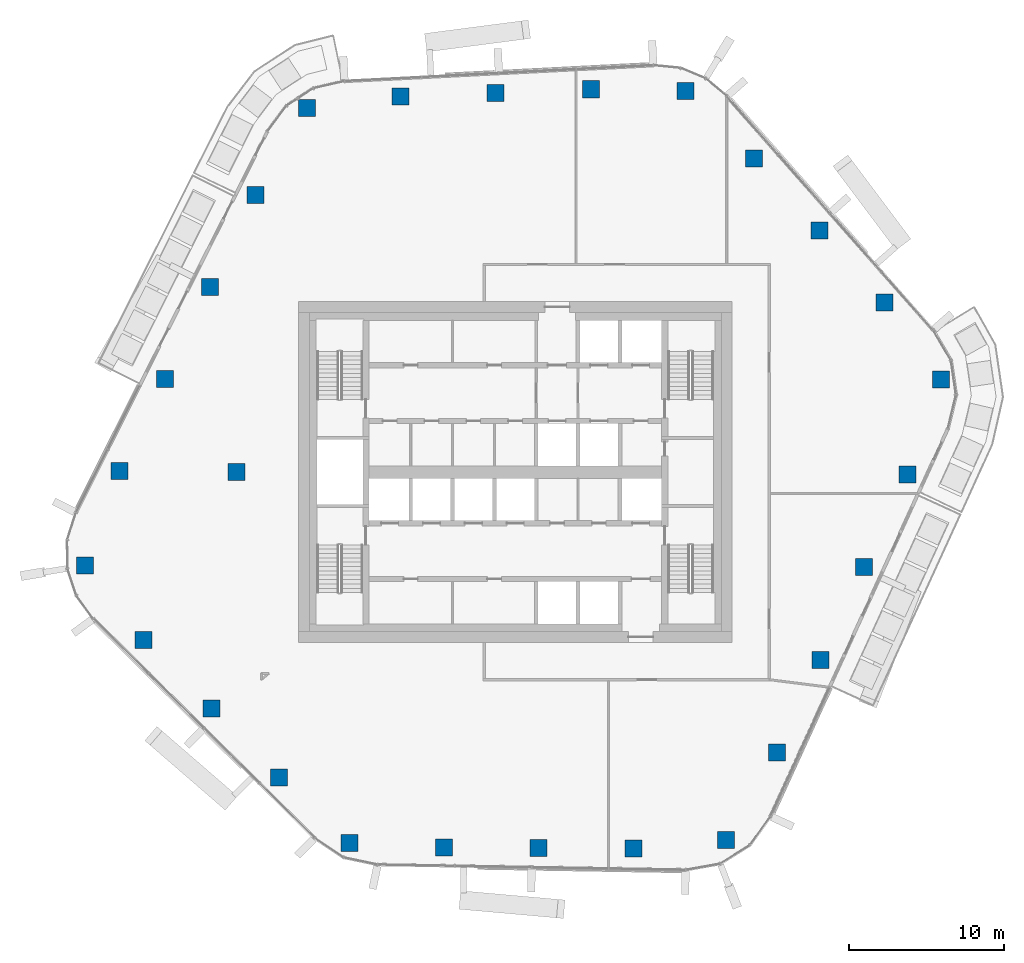
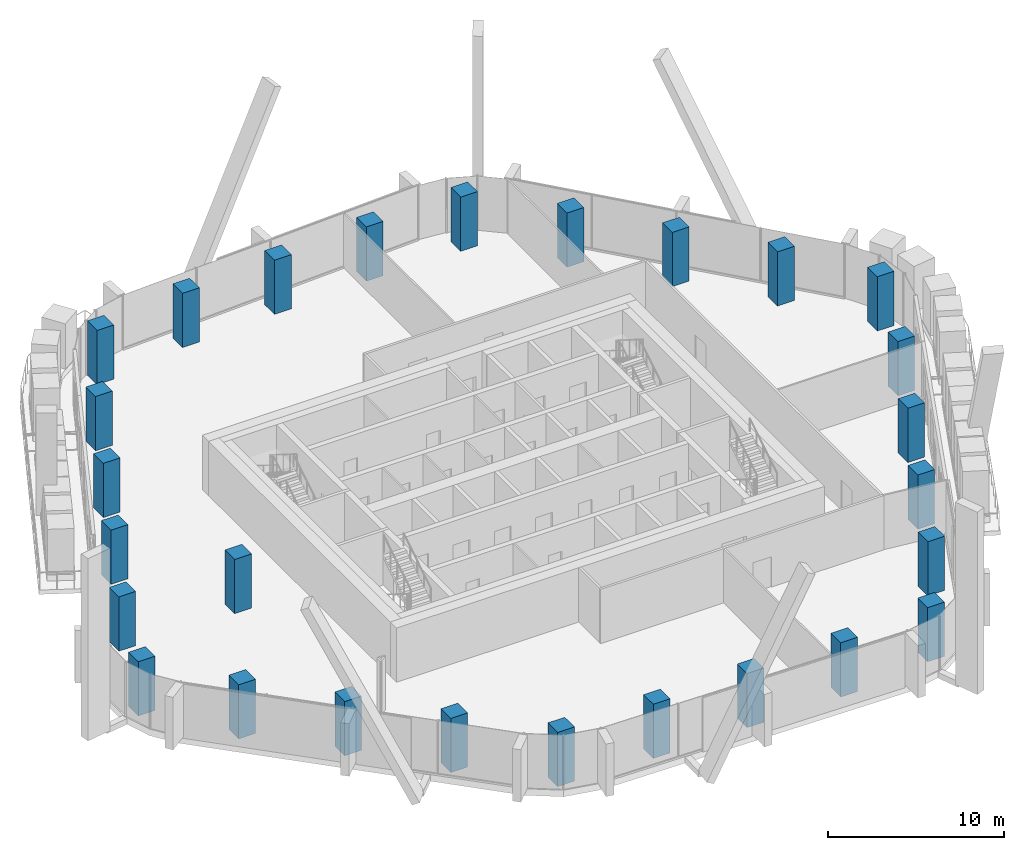
# One storey, part 1 of 20: 27 columns.
"""IFC4 building model written with IfcOpenShell, lengths in metres."""

from ifc_helpers import new_model, si_unit, direction, frame, origin, origin_2d, place, context, subcontext, project, spatial, rectangle, extrude, material, material_profile, profile_set, type_object, element, save


model = new_model("IFC4")

# Units and contexts
model_context = context("Model", 3, precision=1e-05, world=origin(), true_north=direction((0.0, 1.0)))
body_context = subcontext(model_context, "Body", "Model", "MODEL_VIEW")
ifc_project = project(units=[si_unit("LENGTHUNIT", "METRE"), si_unit("AREAUNIT", "SQUARE_METRE"), si_unit("VOLUMEUNIT", "CUBIC_METRE"), si_unit("PLANEANGLEUNIT", "RADIAN"), si_unit("MASSUNIT", "GRAM", prefix="KILO")], contexts=[model_context])

# Site, building, storey
site_placement = place(None, origin())
site = spatial("IfcSite", under=ifc_project, at=site_placement, CompositionType="ELEMENT")
building_placement = place(site_placement, origin())
building = spatial("IfcBuilding", under=site, at=building_placement, Name="Dongbaek Canopy Tower", CompositionType="ELEMENT")
storey_placement = place(building_placement, frame((0.0, 0.0, 228.60009765625)))
storey = spatial("IfcBuildingStorey", under=building, at=storey_placement, Name="L47", CompositionType="ELEMENT", Elevation=228.60009765625)

# Columns
ifc_material = material(Name="Concrete C70", Category="concrete")
ifc_material_profile = material_profile(ifc_material, rectangle(XDim=1.10009765625, YDim=1.10009765625, at=origin_2d()), Name="RC COLUMN 1100x1100 C70")
ifc_profile_set = profile_set([ifc_material_profile], Name="Concrete C70")
column_type = type_object("IfcColumnType", Name="RC COLUMN 1100x1100 C70", PredefinedType="COLUMN", material=ifc_profile_set)
for number, where, z_axis, x_axis, name in (
    (1, (13.612060546875, -23.74609375, 0.0), (0.0, 0.0, 1.0), (1.0, 0.0, 0.0), "COL:CZ4-01:L47"),
    (2, (7.615966796875, -24.300048828125, 0.0), (0.0, 0.0, 1.0), (1.0, 0.0, 0.0), "COL:CZ4-02:L47"),
    (3, (1.501953125, -24.27197265625, 0.0), (0.0, 0.0, 1.0), (1.0, 0.0, 0.0), "COL:CZ4-03:L47"),
    (4, (-4.611083984375, -24.24609375, 0.0), (0.0, 0.0, 1.0), (1.0, 0.0, 0.0), "COL:CZ4-04:L47"),
    (5, (-10.697021484375, -23.946044921875, 0.0), (0.0, 0.0, 1.0), (1.0, 0.0, 0.0), "COL:CZ4-05:L47"),
    (6, (-15.2470703125, -19.714111328125, 0.0), (0.0, 0.0, 1.0), (1.0, 0.0, 0.0), "COL:CZ4-06:L47"),
    (7, (-19.6220703125, -15.27197265625, 0.0), (0.0, 0.0, 1.0), (1.0, 0.0, 0.0), "COL:CZ4-07:L47"),
    (8, (-23.9970703125, -10.8291015625, 0.0), (0.0, 0.0, 1.0), (1.0, 0.0, 0.0), "COL:CZ4-08:L47"),
    (9, (-27.781982421875, -6.02001953125, 0.0), (0.0, 0.0, 1.0), (1.0, 0.0, 0.0), "COL:CZ4-09:L47"),
    (10, (-25.5400390625, 0.075927734375, 0.0), (0.0, 0.0, 1.0), (1.0, 0.0, 0.0), "COL:CZ4-10:L47"),
    (11, (-22.62109375, 6.010986328125, 0.0), (0.0, 0.0, 1.0), (1.0, 0.0, 0.0), "COL:CZ4-11:L47"),
    (12, (-19.701904296875, 11.945068359375, 0.0), (0.0, 0.0, 1.0), (1.0, 0.0, 0.0), "COL:CZ4-12:L47"),
    (13, (-16.783935546875, 17.8779296875, 0.0), (0.0, 0.0, 1.0), (1.0, 0.0, 0.0), "COL:CZ4-13:L47"),
    (14, (-13.44189453125, 23.490966796875, 0.0), (0.0, 0.0, 1.0), (1.0, 0.0, 0.0), "COL:CZ4-14:L47"),
    (15, (-7.4150390625, 24.242919921875, 0.0), (0.0, 0.0, 1.0), (1.0, 0.0, 0.0), "COL:CZ4-15:L47"),
    (16, (-1.26611328125, 24.47900390625, 0.0), (0.0, 0.0, 1.0), (1.0, 0.0, 0.0), "COL:CZ4-16:L47"),
    (17, (4.883056640625, 24.714111328125, 0.0), (0.0, 0.0, 1.0), (1.0, 0.0, 0.0), "COL:CZ4-17:L47"),
    (18, (10.989990234375, 24.59912109375, 0.0), (0.0, 0.0, 1.0), (1.0, 0.0, 0.0), "COL:CZ4-18:L47"),
    (19, (15.41796875, 20.22900390625, 0.0), (0.0, 0.0, 1.0), (1.0, 0.0, 0.0), "COL:CZ4-19:L47"),
    (20, (19.625, 15.583984375, 0.0), (0.0, 0.0, 1.0), (1.0, 0.0, 0.0), "COL:CZ4-20:L47"),
    (21, (23.8310546875, 10.93896484375, 0.0), (0.0, 0.0, 1.0), (1.0, 0.0, 0.0), "COL:CZ4-21:L47"),
    (22, (27.491943359375, 5.97705078125, 0.0), (0.0, 0.0, 1.0), (1.0, 0.0, 0.0), "COL:CZ4-22:L47"),
    (23, (25.302001953125, -0.152099609375, 0.0), (0.0, 0.0, 1.0), (1.0, 0.0, 0.0), "COL:CZ4-23:L47"),
    (24, (22.4990234375, -6.138916015625, 0.0), (0.0, 0.0, 1.0), (1.0, 0.0, 0.0), "COL:CZ4-24:L47"),
    (25, (19.695068359375, -12.126953125, 0.0), (0.0, 0.0, 1.0), (1.0, 0.0, 0.0), "COL:CZ4-25:L47"),
    (26, (16.889892578125, -18.114013671875, 0.0), (0.0, 0.0, 1.0), (1.0, 0.0, 0.0), "COL:CZ4-26:L47"),
    (27, (-18.0, 0.0, 0.0), (0.0, 0.0, 1.0), (1.0, 0.0, 0.0), "COL:CIZ4-01:L47"),
):
    element("IfcColumn", number, at=place(storey_placement, frame(where, z_axis=z_axis, x_axis=x_axis)), inside=storey, type_object=column_type, Name=name, PredefinedType="COLUMN", context=body_context, shape_type="SweptSolid", body=[
        extrude(rectangle(XDim=1.10009765625, YDim=1.10009765625, at=origin_2d()), origin(), (0.0, 0.0, 1.0), 3.75),
    ])

save(model, "model.ifc")
